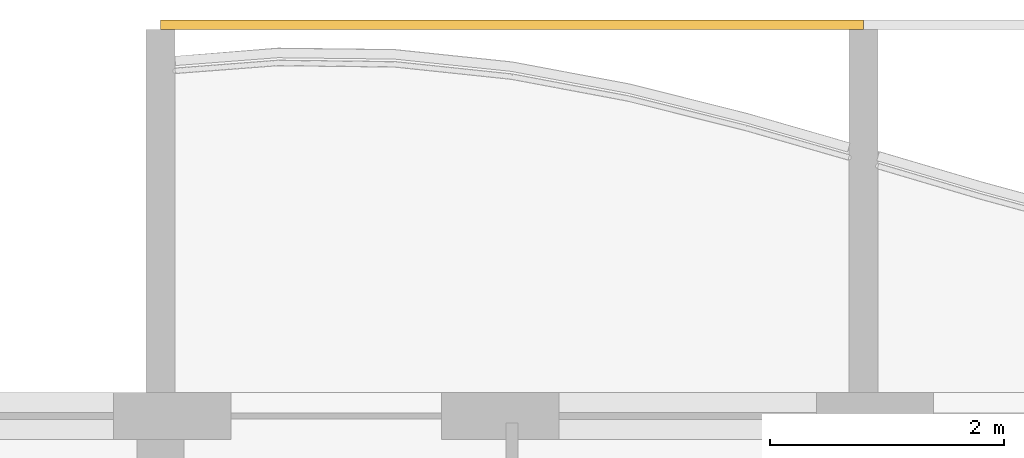
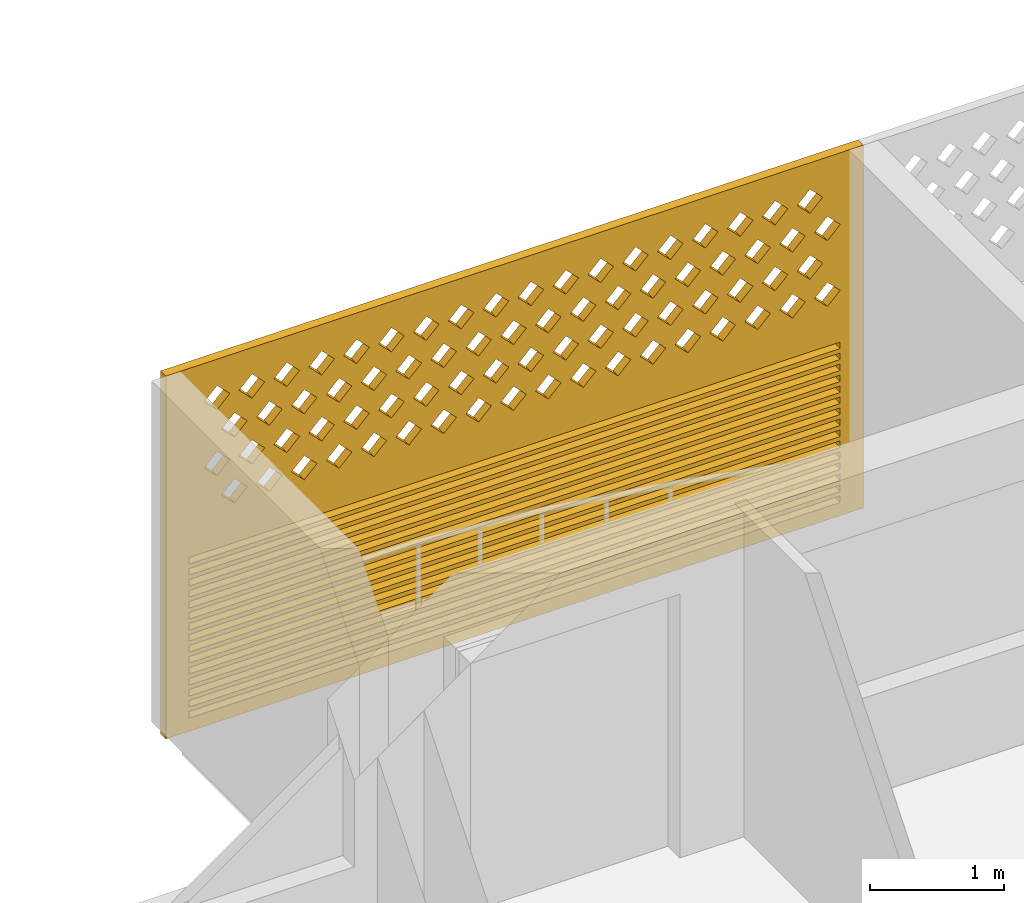
# One storey, part 26 of 39: 1 covering.
"""IFC4 building model written with IfcOpenShell, lengths in metres."""

from ifc_helpers import new_model, si_unit, direction, frame, origin, place, context, subcontext, project, spatial, polyline, outline, extrude, source, transform, mapped, material, material_profile, profile_set, type_object, element, save


model = new_model("IFC4")

# Units and contexts
model_context = context("Model", 3, precision=1e-05, world=origin(), true_north=direction((0.0, 1.0)))
body_context = subcontext(model_context, "Body", "Model", "MODEL_VIEW")
ifc_project = project(units=[si_unit("LENGTHUNIT", "METRE"), si_unit("AREAUNIT", "SQUARE_METRE"), si_unit("VOLUMEUNIT", "CUBIC_METRE"), si_unit("PLANEANGLEUNIT", "RADIAN"), si_unit("MASSUNIT", "GRAM", prefix="KILO")], contexts=[model_context])

# Site, building, storey
site_placement = place(None, origin())
site = spatial("IfcSite", under=ifc_project, at=site_placement, CompositionType="ELEMENT")
building_placement = place(site_placement, origin())
building = spatial("IfcBuilding", under=site, at=building_placement, Name="Poui Terraces", CompositionType="ELEMENT")
storey_placement = place(building_placement, frame((0.0, 0.0, 63.0)))
storey = spatial("IfcBuildingStorey", under=building, at=storey_placement, Name="L17", CompositionType="ELEMENT", Elevation=63.0)

# Covering
ifc_material = material(Name="Terracotta screen", Category="masonry")
ifc_material_profile = material_profile(ifc_material, outline(polyline([(-3.0, -1.64990234375), (3.0, -1.64990234375), (3.0, 1.64990234375), (-3.0, 1.64990234375), (-3.0, -1.64990234375)]), holes=[polyline([(-2.800048828125, 0.39990234375), (-2.68994140625, 0.2900390625), (-2.580078125, 0.39990234375), (-2.68994140625, 0.510009765625), (-2.800048828125, 0.39990234375)]), polyline([(-2.5, 0.39990234375), (-2.389892578125, 0.2900390625), (-2.280029296875, 0.39990234375), (-2.389892578125, 0.510009765625), (-2.5, 0.39990234375)]), polyline([(-2.199951171875, 0.39990234375), (-2.090087890625, 0.2900390625), (-1.97998046875, 0.39990234375), (-2.090087890625, 0.510009765625), (-2.199951171875, 0.39990234375)]), polyline([(-1.89990234375, 0.39990234375), (-1.7900390625, 0.2900390625), (-1.679931640625, 0.39990234375), (-1.7900390625, 0.510009765625), (-1.89990234375, 0.39990234375)]), polyline([(-1.60009765625, 0.39990234375), (-1.489990234375, 0.2900390625), (-1.3798828125, 0.39990234375), (-1.489990234375, 0.510009765625), (-1.60009765625, 0.39990234375)]), polyline([(-1.300048828125, 0.39990234375), (-1.18994140625, 0.2900390625), (-1.080078125, 0.39990234375), (-1.18994140625, 0.510009765625), (-1.300048828125, 0.39990234375)]), polyline([(-1.0, 0.39990234375), (-0.889892578125, 0.2900390625), (-0.780029296875, 0.39990234375), (-0.889892578125, 0.510009765625), (-1.0, 0.39990234375)]), polyline([(-0.699951171875, 0.39990234375), (-0.590087890625, 0.2900390625), (-0.47998046875, 0.39990234375), (-0.590087890625, 0.510009765625), (-0.699951171875, 0.39990234375)]), polyline([(-0.39990234375, 0.39990234375), (-0.2900390625, 0.2900390625), (-0.179931640625, 0.39990234375), (-0.2900390625, 0.510009765625), (-0.39990234375, 0.39990234375)]), polyline([(-0.10009765625, 0.39990234375), (0.010009765625, 0.2900390625), (0.1201171875, 0.39990234375), (0.010009765625, 0.510009765625), (-0.10009765625, 0.39990234375)]), polyline([(0.199951171875, 0.39990234375), (0.31005859375, 0.2900390625), (0.419921875, 0.39990234375), (0.31005859375, 0.510009765625), (0.199951171875, 0.39990234375)]), polyline([(0.5, 0.39990234375), (0.610107421875, 0.2900390625), (0.719970703125, 0.39990234375), (0.610107421875, 0.510009765625), (0.5, 0.39990234375)]), polyline([(0.800048828125, 0.39990234375), (0.909912109375, 0.2900390625), (1.02001953125, 0.39990234375), (0.909912109375, 0.510009765625), (0.800048828125, 0.39990234375)]), polyline([(1.10009765625, 0.39990234375), (1.2099609375, 0.2900390625), (1.320068359375, 0.39990234375), (1.2099609375, 0.510009765625), (1.10009765625, 0.39990234375)]), polyline([(1.39990234375, 0.39990234375), (1.510009765625, 0.2900390625), (1.6201171875, 0.39990234375), (1.510009765625, 0.510009765625), (1.39990234375, 0.39990234375)]), polyline([(1.699951171875, 0.39990234375), (1.81005859375, 0.2900390625), (1.919921875, 0.39990234375), (1.81005859375, 0.510009765625), (1.699951171875, 0.39990234375)]), polyline([(2.0, 0.39990234375), (2.110107421875, 0.2900390625), (2.219970703125, 0.39990234375), (2.110107421875, 0.510009765625), (2.0, 0.39990234375)]), polyline([(2.300048828125, 0.39990234375), (2.409912109375, 0.2900390625), (2.52001953125, 0.39990234375), (2.409912109375, 0.510009765625), (2.300048828125, 0.39990234375)]), polyline([(-2.64990234375, 0.699951171875), (-2.5400390625, 0.590087890625), (-2.429931640625, 0.699951171875), (-2.5400390625, 0.81005859375), (-2.64990234375, 0.699951171875)]), polyline([(-2.35009765625, 0.699951171875), (-2.239990234375, 0.590087890625), (-2.1298828125, 0.699951171875), (-2.239990234375, 0.81005859375), (-2.35009765625, 0.699951171875)]), polyline([(-2.050048828125, 0.699951171875), (-1.93994140625, 0.590087890625), (-1.830078125, 0.699951171875), (-1.93994140625, 0.81005859375), (-2.050048828125, 0.699951171875)]), polyline([(-1.75, 0.699951171875), (-1.639892578125, 0.590087890625), (-1.530029296875, 0.699951171875), (-1.639892578125, 0.81005859375), (-1.75, 0.699951171875)]), polyline([(-1.449951171875, 0.699951171875), (-1.340087890625, 0.590087890625), (-1.22998046875, 0.699951171875), (-1.340087890625, 0.81005859375), (-1.449951171875, 0.699951171875)]), polyline([(-1.14990234375, 0.699951171875), (-1.0400390625, 0.590087890625), (-0.929931640625, 0.699951171875), (-1.0400390625, 0.81005859375), (-1.14990234375, 0.699951171875)]), polyline([(-0.85009765625, 0.699951171875), (-0.739990234375, 0.590087890625), (-0.6298828125, 0.699951171875), (-0.739990234375, 0.81005859375), (-0.85009765625, 0.699951171875)]), polyline([(-0.550048828125, 0.699951171875), (-0.43994140625, 0.590087890625), (-0.330078125, 0.699951171875), (-0.43994140625, 0.81005859375), (-0.550048828125, 0.699951171875)]), polyline([(-0.25, 0.699951171875), (-0.139892578125, 0.590087890625), (-0.030029296875, 0.699951171875), (-0.139892578125, 0.81005859375), (-0.25, 0.699951171875)]), polyline([(0.050048828125, 0.699951171875), (0.159912109375, 0.590087890625), (0.27001953125, 0.699951171875), (0.159912109375, 0.81005859375), (0.050048828125, 0.699951171875)]), polyline([(0.35009765625, 0.699951171875), (0.4599609375, 0.590087890625), (0.570068359375, 0.699951171875), (0.4599609375, 0.81005859375), (0.35009765625, 0.699951171875)]), polyline([(0.64990234375, 0.699951171875), (0.760009765625, 0.590087890625), (0.8701171875, 0.699951171875), (0.760009765625, 0.81005859375), (0.64990234375, 0.699951171875)]), polyline([(0.949951171875, 0.699951171875), (1.06005859375, 0.590087890625), (1.169921875, 0.699951171875), (1.06005859375, 0.81005859375), (0.949951171875, 0.699951171875)]), polyline([(1.25, 0.699951171875), (1.360107421875, 0.590087890625), (1.469970703125, 0.699951171875), (1.360107421875, 0.81005859375), (1.25, 0.699951171875)]), polyline([(1.550048828125, 0.699951171875), (1.659912109375, 0.590087890625), (1.77001953125, 0.699951171875), (1.659912109375, 0.81005859375), (1.550048828125, 0.699951171875)]), polyline([(1.85009765625, 0.699951171875), (1.9599609375, 0.590087890625), (2.070068359375, 0.699951171875), (1.9599609375, 0.81005859375), (1.85009765625, 0.699951171875)]), polyline([(2.14990234375, 0.699951171875), (2.260009765625, 0.590087890625), (2.3701171875, 0.699951171875), (2.260009765625, 0.81005859375), (2.14990234375, 0.699951171875)]), polyline([(2.449951171875, 0.699951171875), (2.56005859375, 0.590087890625), (2.669921875, 0.699951171875), (2.56005859375, 0.81005859375), (2.449951171875, 0.699951171875)]), polyline([(-2.800048828125, 1.0), (-2.68994140625, 0.889892578125), (-2.580078125, 1.0), (-2.68994140625, 1.110107421875), (-2.800048828125, 1.0)]), polyline([(-2.5, 1.0), (-2.389892578125, 0.889892578125), (-2.280029296875, 1.0), (-2.389892578125, 1.110107421875), (-2.5, 1.0)]), polyline([(-2.199951171875, 1.0), (-2.090087890625, 0.889892578125), (-1.97998046875, 1.0), (-2.090087890625, 1.110107421875), (-2.199951171875, 1.0)]), polyline([(-1.89990234375, 1.0), (-1.7900390625, 0.889892578125), (-1.679931640625, 1.0), (-1.7900390625, 1.110107421875), (-1.89990234375, 1.0)]), polyline([(-1.60009765625, 1.0), (-1.489990234375, 0.889892578125), (-1.3798828125, 1.0), (-1.489990234375, 1.110107421875), (-1.60009765625, 1.0)]), polyline([(-1.300048828125, 1.0), (-1.18994140625, 0.889892578125), (-1.080078125, 1.0), (-1.18994140625, 1.110107421875), (-1.300048828125, 1.0)]), polyline([(-1.0, 1.0), (-0.889892578125, 0.889892578125), (-0.780029296875, 1.0), (-0.889892578125, 1.110107421875), (-1.0, 1.0)]), polyline([(-0.699951171875, 1.0), (-0.590087890625, 0.889892578125), (-0.47998046875, 1.0), (-0.590087890625, 1.110107421875), (-0.699951171875, 1.0)]), polyline([(-0.39990234375, 1.0), (-0.2900390625, 0.889892578125), (-0.179931640625, 1.0), (-0.2900390625, 1.110107421875), (-0.39990234375, 1.0)]), polyline([(-0.10009765625, 1.0), (0.010009765625, 0.889892578125), (0.1201171875, 1.0), (0.010009765625, 1.110107421875), (-0.10009765625, 1.0)]), polyline([(0.199951171875, 1.0), (0.31005859375, 0.889892578125), (0.419921875, 1.0), (0.31005859375, 1.110107421875), (0.199951171875, 1.0)]), polyline([(0.5, 1.0), (0.610107421875, 0.889892578125), (0.719970703125, 1.0), (0.610107421875, 1.110107421875), (0.5, 1.0)]), polyline([(0.800048828125, 1.0), (0.909912109375, 0.889892578125), (1.02001953125, 1.0), (0.909912109375, 1.110107421875), (0.800048828125, 1.0)]), polyline([(1.10009765625, 1.0), (1.2099609375, 0.889892578125), (1.320068359375, 1.0), (1.2099609375, 1.110107421875), (1.10009765625, 1.0)]), polyline([(1.39990234375, 1.0), (1.510009765625, 0.889892578125), (1.6201171875, 1.0), (1.510009765625, 1.110107421875), (1.39990234375, 1.0)]), polyline([(1.699951171875, 1.0), (1.81005859375, 0.889892578125), (1.919921875, 1.0), (1.81005859375, 1.110107421875), (1.699951171875, 1.0)]), polyline([(2.0, 1.0), (2.110107421875, 0.889892578125), (2.219970703125, 1.0), (2.110107421875, 1.110107421875), (2.0, 1.0)]), polyline([(2.300048828125, 1.0), (2.409912109375, 0.889892578125), (2.52001953125, 1.0), (2.409912109375, 1.110107421875), (2.300048828125, 1.0)]), polyline([(-2.64990234375, 1.300048828125), (-2.5400390625, 1.18994140625), (-2.429931640625, 1.300048828125), (-2.5400390625, 1.409912109375), (-2.64990234375, 1.300048828125)]), polyline([(-2.35009765625, 1.300048828125), (-2.239990234375, 1.18994140625), (-2.1298828125, 1.300048828125), (-2.239990234375, 1.409912109375), (-2.35009765625, 1.300048828125)]), polyline([(-2.050048828125, 1.300048828125), (-1.93994140625, 1.18994140625), (-1.830078125, 1.300048828125), (-1.93994140625, 1.409912109375), (-2.050048828125, 1.300048828125)]), polyline([(-1.75, 1.300048828125), (-1.639892578125, 1.18994140625), (-1.530029296875, 1.300048828125), (-1.639892578125, 1.409912109375), (-1.75, 1.300048828125)]), polyline([(-1.449951171875, 1.300048828125), (-1.340087890625, 1.18994140625), (-1.22998046875, 1.300048828125), (-1.340087890625, 1.409912109375), (-1.449951171875, 1.300048828125)]), polyline([(-1.14990234375, 1.300048828125), (-1.0400390625, 1.18994140625), (-0.929931640625, 1.300048828125), (-1.0400390625, 1.409912109375), (-1.14990234375, 1.300048828125)]), polyline([(-0.85009765625, 1.300048828125), (-0.739990234375, 1.18994140625), (-0.6298828125, 1.300048828125), (-0.739990234375, 1.409912109375), (-0.85009765625, 1.300048828125)]), polyline([(-0.550048828125, 1.300048828125), (-0.43994140625, 1.18994140625), (-0.330078125, 1.300048828125), (-0.43994140625, 1.409912109375), (-0.550048828125, 1.300048828125)]), polyline([(-0.25, 1.300048828125), (-0.139892578125, 1.18994140625), (-0.030029296875, 1.300048828125), (-0.139892578125, 1.409912109375), (-0.25, 1.300048828125)]), polyline([(0.050048828125, 1.300048828125), (0.159912109375, 1.18994140625), (0.27001953125, 1.300048828125), (0.159912109375, 1.409912109375), (0.050048828125, 1.300048828125)]), polyline([(0.35009765625, 1.300048828125), (0.4599609375, 1.18994140625), (0.570068359375, 1.300048828125), (0.4599609375, 1.409912109375), (0.35009765625, 1.300048828125)]), polyline([(0.64990234375, 1.300048828125), (0.760009765625, 1.18994140625), (0.8701171875, 1.300048828125), (0.760009765625, 1.409912109375), (0.64990234375, 1.300048828125)]), polyline([(0.949951171875, 1.300048828125), (1.06005859375, 1.18994140625), (1.169921875, 1.300048828125), (1.06005859375, 1.409912109375), (0.949951171875, 1.300048828125)]), polyline([(1.25, 1.300048828125), (1.360107421875, 1.18994140625), (1.469970703125, 1.300048828125), (1.360107421875, 1.409912109375), (1.25, 1.300048828125)]), polyline([(1.550048828125, 1.300048828125), (1.659912109375, 1.18994140625), (1.77001953125, 1.300048828125), (1.659912109375, 1.409912109375), (1.550048828125, 1.300048828125)]), polyline([(1.85009765625, 1.300048828125), (1.9599609375, 1.18994140625), (2.070068359375, 1.300048828125), (1.9599609375, 1.409912109375), (1.85009765625, 1.300048828125)]), polyline([(2.14990234375, 1.300048828125), (2.260009765625, 1.18994140625), (2.3701171875, 1.300048828125), (2.260009765625, 1.409912109375), (2.14990234375, 1.300048828125)]), polyline([(2.449951171875, 1.300048828125), (2.56005859375, 1.18994140625), (2.669921875, 1.300048828125), (2.56005859375, 1.409912109375), (2.449951171875, 1.300048828125)]), polyline([(-2.800048828125, -1.530029296875), (2.800048828125, -1.530029296875), (2.800048828125, -1.469970703125), (-2.800048828125, -1.469970703125), (-2.800048828125, -1.530029296875)]), polyline([(-2.800048828125, -1.429931640625), (2.800048828125, -1.429931640625), (2.800048828125, -1.3701171875), (-2.800048828125, -1.3701171875), (-2.800048828125, -1.429931640625)]), polyline([(-2.800048828125, -1.330078125), (2.800048828125, -1.330078125), (2.800048828125, -1.27001953125), (-2.800048828125, -1.27001953125), (-2.800048828125, -1.330078125)]), polyline([(-2.800048828125, -1.22998046875), (2.800048828125, -1.22998046875), (2.800048828125, -1.169921875), (-2.800048828125, -1.169921875), (-2.800048828125, -1.22998046875)]), polyline([(-2.800048828125, -1.1298828125), (2.800048828125, -1.1298828125), (2.800048828125, -1.070068359375), (-2.800048828125, -1.070068359375), (-2.800048828125, -1.1298828125)]), polyline([(-2.800048828125, -1.030029296875), (2.800048828125, -1.030029296875), (2.800048828125, -0.969970703125), (-2.800048828125, -0.969970703125), (-2.800048828125, -1.030029296875)]), polyline([(-2.800048828125, -0.929931640625), (2.800048828125, -0.929931640625), (2.800048828125, -0.8701171875), (-2.800048828125, -0.8701171875), (-2.800048828125, -0.929931640625)]), polyline([(-2.800048828125, -0.830078125), (2.800048828125, -0.830078125), (2.800048828125, -0.77001953125), (-2.800048828125, -0.77001953125), (-2.800048828125, -0.830078125)]), polyline([(-2.800048828125, -0.72998046875), (2.800048828125, -0.72998046875), (2.800048828125, -0.669921875), (-2.800048828125, -0.669921875), (-2.800048828125, -0.72998046875)]), polyline([(-2.800048828125, -0.6298828125), (2.800048828125, -0.6298828125), (2.800048828125, -0.570068359375), (-2.800048828125, -0.570068359375), (-2.800048828125, -0.6298828125)]), polyline([(-2.800048828125, -0.530029296875), (2.800048828125, -0.530029296875), (2.800048828125, -0.469970703125), (-2.800048828125, -0.469970703125), (-2.800048828125, -0.530029296875)]), polyline([(-2.800048828125, -0.429931640625), (2.800048828125, -0.429931640625), (2.800048828125, -0.3701171875), (-2.800048828125, -0.3701171875), (-2.800048828125, -0.429931640625)]), polyline([(-2.800048828125, -0.330078125), (2.800048828125, -0.330078125), (2.800048828125, -0.27001953125), (-2.800048828125, -0.27001953125), (-2.800048828125, -0.330078125)]), polyline([(-2.800048828125, -0.22998046875), (2.800048828125, -0.22998046875), (2.800048828125, -0.169921875), (-2.800048828125, -0.169921875), (-2.800048828125, -0.22998046875)]), polyline([(-2.800048828125, -0.1298828125), (2.800048828125, -0.1298828125), (2.800048828125, -0.070068359375), (-2.800048828125, -0.070068359375), (-2.800048828125, -0.1298828125)])]), Name="TERRACOTTA SCREEN AND JALOUSIE LOUVRE 6000X3300")
ifc_profile_set = profile_set([ifc_material_profile], Name="Terracotta screen")
covering_type = type_object("IfcCoveringType", Name="TERRACOTTA SCREEN AND JALOUSIE LOUVRE 6000X3300", PredefinedType="CLADDING", material=ifc_profile_set)
shared_shape = source(origin(), body_context, "Body", "SweptSolid", [
    extrude(outline(polyline([(-3.0, -1.64990234375), (3.0, -1.64990234375), (3.0, 1.64990234375), (-3.0, 1.64990234375), (-3.0, -1.64990234375)]), holes=[polyline([(-2.800048828125, 0.39990234375), (-2.68994140625, 0.2900390625), (-2.580078125, 0.39990234375), (-2.68994140625, 0.510009765625), (-2.800048828125, 0.39990234375)]), polyline([(-2.5, 0.39990234375), (-2.389892578125, 0.2900390625), (-2.280029296875, 0.39990234375), (-2.389892578125, 0.510009765625), (-2.5, 0.39990234375)]), polyline([(-2.199951171875, 0.39990234375), (-2.090087890625, 0.2900390625), (-1.97998046875, 0.39990234375), (-2.090087890625, 0.510009765625), (-2.199951171875, 0.39990234375)]), polyline([(-1.89990234375, 0.39990234375), (-1.7900390625, 0.2900390625), (-1.679931640625, 0.39990234375), (-1.7900390625, 0.510009765625), (-1.89990234375, 0.39990234375)]), polyline([(-1.60009765625, 0.39990234375), (-1.489990234375, 0.2900390625), (-1.3798828125, 0.39990234375), (-1.489990234375, 0.510009765625), (-1.60009765625, 0.39990234375)]), polyline([(-1.300048828125, 0.39990234375), (-1.18994140625, 0.2900390625), (-1.080078125, 0.39990234375), (-1.18994140625, 0.510009765625), (-1.300048828125, 0.39990234375)]), polyline([(-1.0, 0.39990234375), (-0.889892578125, 0.2900390625), (-0.780029296875, 0.39990234375), (-0.889892578125, 0.510009765625), (-1.0, 0.39990234375)]), polyline([(-0.699951171875, 0.39990234375), (-0.590087890625, 0.2900390625), (-0.47998046875, 0.39990234375), (-0.590087890625, 0.510009765625), (-0.699951171875, 0.39990234375)]), polyline([(-0.39990234375, 0.39990234375), (-0.2900390625, 0.2900390625), (-0.179931640625, 0.39990234375), (-0.2900390625, 0.510009765625), (-0.39990234375, 0.39990234375)]), polyline([(-0.10009765625, 0.39990234375), (0.010009765625, 0.2900390625), (0.1201171875, 0.39990234375), (0.010009765625, 0.510009765625), (-0.10009765625, 0.39990234375)]), polyline([(0.199951171875, 0.39990234375), (0.31005859375, 0.2900390625), (0.419921875, 0.39990234375), (0.31005859375, 0.510009765625), (0.199951171875, 0.39990234375)]), polyline([(0.5, 0.39990234375), (0.610107421875, 0.2900390625), (0.719970703125, 0.39990234375), (0.610107421875, 0.510009765625), (0.5, 0.39990234375)]), polyline([(0.800048828125, 0.39990234375), (0.909912109375, 0.2900390625), (1.02001953125, 0.39990234375), (0.909912109375, 0.510009765625), (0.800048828125, 0.39990234375)]), polyline([(1.10009765625, 0.39990234375), (1.2099609375, 0.2900390625), (1.320068359375, 0.39990234375), (1.2099609375, 0.510009765625), (1.10009765625, 0.39990234375)]), polyline([(1.39990234375, 0.39990234375), (1.510009765625, 0.2900390625), (1.6201171875, 0.39990234375), (1.510009765625, 0.510009765625), (1.39990234375, 0.39990234375)]), polyline([(1.699951171875, 0.39990234375), (1.81005859375, 0.2900390625), (1.919921875, 0.39990234375), (1.81005859375, 0.510009765625), (1.699951171875, 0.39990234375)]), polyline([(2.0, 0.39990234375), (2.110107421875, 0.2900390625), (2.219970703125, 0.39990234375), (2.110107421875, 0.510009765625), (2.0, 0.39990234375)]), polyline([(2.300048828125, 0.39990234375), (2.409912109375, 0.2900390625), (2.52001953125, 0.39990234375), (2.409912109375, 0.510009765625), (2.300048828125, 0.39990234375)]), polyline([(-2.64990234375, 0.699951171875), (-2.5400390625, 0.590087890625), (-2.429931640625, 0.699951171875), (-2.5400390625, 0.81005859375), (-2.64990234375, 0.699951171875)]), polyline([(-2.35009765625, 0.699951171875), (-2.239990234375, 0.590087890625), (-2.1298828125, 0.699951171875), (-2.239990234375, 0.81005859375), (-2.35009765625, 0.699951171875)]), polyline([(-2.050048828125, 0.699951171875), (-1.93994140625, 0.590087890625), (-1.830078125, 0.699951171875), (-1.93994140625, 0.81005859375), (-2.050048828125, 0.699951171875)]), polyline([(-1.75, 0.699951171875), (-1.639892578125, 0.590087890625), (-1.530029296875, 0.699951171875), (-1.639892578125, 0.81005859375), (-1.75, 0.699951171875)]), polyline([(-1.449951171875, 0.699951171875), (-1.340087890625, 0.590087890625), (-1.22998046875, 0.699951171875), (-1.340087890625, 0.81005859375), (-1.449951171875, 0.699951171875)]), polyline([(-1.14990234375, 0.699951171875), (-1.0400390625, 0.590087890625), (-0.929931640625, 0.699951171875), (-1.0400390625, 0.81005859375), (-1.14990234375, 0.699951171875)]), polyline([(-0.85009765625, 0.699951171875), (-0.739990234375, 0.590087890625), (-0.6298828125, 0.699951171875), (-0.739990234375, 0.81005859375), (-0.85009765625, 0.699951171875)]), polyline([(-0.550048828125, 0.699951171875), (-0.43994140625, 0.590087890625), (-0.330078125, 0.699951171875), (-0.43994140625, 0.81005859375), (-0.550048828125, 0.699951171875)]), polyline([(-0.25, 0.699951171875), (-0.139892578125, 0.590087890625), (-0.030029296875, 0.699951171875), (-0.139892578125, 0.81005859375), (-0.25, 0.699951171875)]), polyline([(0.050048828125, 0.699951171875), (0.159912109375, 0.590087890625), (0.27001953125, 0.699951171875), (0.159912109375, 0.81005859375), (0.050048828125, 0.699951171875)]), polyline([(0.35009765625, 0.699951171875), (0.4599609375, 0.590087890625), (0.570068359375, 0.699951171875), (0.4599609375, 0.81005859375), (0.35009765625, 0.699951171875)]), polyline([(0.64990234375, 0.699951171875), (0.760009765625, 0.590087890625), (0.8701171875, 0.699951171875), (0.760009765625, 0.81005859375), (0.64990234375, 0.699951171875)]), polyline([(0.949951171875, 0.699951171875), (1.06005859375, 0.590087890625), (1.169921875, 0.699951171875), (1.06005859375, 0.81005859375), (0.949951171875, 0.699951171875)]), polyline([(1.25, 0.699951171875), (1.360107421875, 0.590087890625), (1.469970703125, 0.699951171875), (1.360107421875, 0.81005859375), (1.25, 0.699951171875)]), polyline([(1.550048828125, 0.699951171875), (1.659912109375, 0.590087890625), (1.77001953125, 0.699951171875), (1.659912109375, 0.81005859375), (1.550048828125, 0.699951171875)]), polyline([(1.85009765625, 0.699951171875), (1.9599609375, 0.590087890625), (2.070068359375, 0.699951171875), (1.9599609375, 0.81005859375), (1.85009765625, 0.699951171875)]), polyline([(2.14990234375, 0.699951171875), (2.260009765625, 0.590087890625), (2.3701171875, 0.699951171875), (2.260009765625, 0.81005859375), (2.14990234375, 0.699951171875)]), polyline([(2.449951171875, 0.699951171875), (2.56005859375, 0.590087890625), (2.669921875, 0.699951171875), (2.56005859375, 0.81005859375), (2.449951171875, 0.699951171875)]), polyline([(-2.800048828125, 1.0), (-2.68994140625, 0.889892578125), (-2.580078125, 1.0), (-2.68994140625, 1.110107421875), (-2.800048828125, 1.0)]), polyline([(-2.5, 1.0), (-2.389892578125, 0.889892578125), (-2.280029296875, 1.0), (-2.389892578125, 1.110107421875), (-2.5, 1.0)]), polyline([(-2.199951171875, 1.0), (-2.090087890625, 0.889892578125), (-1.97998046875, 1.0), (-2.090087890625, 1.110107421875), (-2.199951171875, 1.0)]), polyline([(-1.89990234375, 1.0), (-1.7900390625, 0.889892578125), (-1.679931640625, 1.0), (-1.7900390625, 1.110107421875), (-1.89990234375, 1.0)]), polyline([(-1.60009765625, 1.0), (-1.489990234375, 0.889892578125), (-1.3798828125, 1.0), (-1.489990234375, 1.110107421875), (-1.60009765625, 1.0)]), polyline([(-1.300048828125, 1.0), (-1.18994140625, 0.889892578125), (-1.080078125, 1.0), (-1.18994140625, 1.110107421875), (-1.300048828125, 1.0)]), polyline([(-1.0, 1.0), (-0.889892578125, 0.889892578125), (-0.780029296875, 1.0), (-0.889892578125, 1.110107421875), (-1.0, 1.0)]), polyline([(-0.699951171875, 1.0), (-0.590087890625, 0.889892578125), (-0.47998046875, 1.0), (-0.590087890625, 1.110107421875), (-0.699951171875, 1.0)]), polyline([(-0.39990234375, 1.0), (-0.2900390625, 0.889892578125), (-0.179931640625, 1.0), (-0.2900390625, 1.110107421875), (-0.39990234375, 1.0)]), polyline([(-0.10009765625, 1.0), (0.010009765625, 0.889892578125), (0.1201171875, 1.0), (0.010009765625, 1.110107421875), (-0.10009765625, 1.0)]), polyline([(0.199951171875, 1.0), (0.31005859375, 0.889892578125), (0.419921875, 1.0), (0.31005859375, 1.110107421875), (0.199951171875, 1.0)]), polyline([(0.5, 1.0), (0.610107421875, 0.889892578125), (0.719970703125, 1.0), (0.610107421875, 1.110107421875), (0.5, 1.0)]), polyline([(0.800048828125, 1.0), (0.909912109375, 0.889892578125), (1.02001953125, 1.0), (0.909912109375, 1.110107421875), (0.800048828125, 1.0)]), polyline([(1.10009765625, 1.0), (1.2099609375, 0.889892578125), (1.320068359375, 1.0), (1.2099609375, 1.110107421875), (1.10009765625, 1.0)]), polyline([(1.39990234375, 1.0), (1.510009765625, 0.889892578125), (1.6201171875, 1.0), (1.510009765625, 1.110107421875), (1.39990234375, 1.0)]), polyline([(1.699951171875, 1.0), (1.81005859375, 0.889892578125), (1.919921875, 1.0), (1.81005859375, 1.110107421875), (1.699951171875, 1.0)]), polyline([(2.0, 1.0), (2.110107421875, 0.889892578125), (2.219970703125, 1.0), (2.110107421875, 1.110107421875), (2.0, 1.0)]), polyline([(2.300048828125, 1.0), (2.409912109375, 0.889892578125), (2.52001953125, 1.0), (2.409912109375, 1.110107421875), (2.300048828125, 1.0)]), polyline([(-2.64990234375, 1.300048828125), (-2.5400390625, 1.18994140625), (-2.429931640625, 1.300048828125), (-2.5400390625, 1.409912109375), (-2.64990234375, 1.300048828125)]), polyline([(-2.35009765625, 1.300048828125), (-2.239990234375, 1.18994140625), (-2.1298828125, 1.300048828125), (-2.239990234375, 1.409912109375), (-2.35009765625, 1.300048828125)]), polyline([(-2.050048828125, 1.300048828125), (-1.93994140625, 1.18994140625), (-1.830078125, 1.300048828125), (-1.93994140625, 1.409912109375), (-2.050048828125, 1.300048828125)]), polyline([(-1.75, 1.300048828125), (-1.639892578125, 1.18994140625), (-1.530029296875, 1.300048828125), (-1.639892578125, 1.409912109375), (-1.75, 1.300048828125)]), polyline([(-1.449951171875, 1.300048828125), (-1.340087890625, 1.18994140625), (-1.22998046875, 1.300048828125), (-1.340087890625, 1.409912109375), (-1.449951171875, 1.300048828125)]), polyline([(-1.14990234375, 1.300048828125), (-1.0400390625, 1.18994140625), (-0.929931640625, 1.300048828125), (-1.0400390625, 1.409912109375), (-1.14990234375, 1.300048828125)]), polyline([(-0.85009765625, 1.300048828125), (-0.739990234375, 1.18994140625), (-0.6298828125, 1.300048828125), (-0.739990234375, 1.409912109375), (-0.85009765625, 1.300048828125)]), polyline([(-0.550048828125, 1.300048828125), (-0.43994140625, 1.18994140625), (-0.330078125, 1.300048828125), (-0.43994140625, 1.409912109375), (-0.550048828125, 1.300048828125)]), polyline([(-0.25, 1.300048828125), (-0.139892578125, 1.18994140625), (-0.030029296875, 1.300048828125), (-0.139892578125, 1.409912109375), (-0.25, 1.300048828125)]), polyline([(0.050048828125, 1.300048828125), (0.159912109375, 1.18994140625), (0.27001953125, 1.300048828125), (0.159912109375, 1.409912109375), (0.050048828125, 1.300048828125)]), polyline([(0.35009765625, 1.300048828125), (0.4599609375, 1.18994140625), (0.570068359375, 1.300048828125), (0.4599609375, 1.409912109375), (0.35009765625, 1.300048828125)]), polyline([(0.64990234375, 1.300048828125), (0.760009765625, 1.18994140625), (0.8701171875, 1.300048828125), (0.760009765625, 1.409912109375), (0.64990234375, 1.300048828125)]), polyline([(0.949951171875, 1.300048828125), (1.06005859375, 1.18994140625), (1.169921875, 1.300048828125), (1.06005859375, 1.409912109375), (0.949951171875, 1.300048828125)]), polyline([(1.25, 1.300048828125), (1.360107421875, 1.18994140625), (1.469970703125, 1.300048828125), (1.360107421875, 1.409912109375), (1.25, 1.300048828125)]), polyline([(1.550048828125, 1.300048828125), (1.659912109375, 1.18994140625), (1.77001953125, 1.300048828125), (1.659912109375, 1.409912109375), (1.550048828125, 1.300048828125)]), polyline([(1.85009765625, 1.300048828125), (1.9599609375, 1.18994140625), (2.070068359375, 1.300048828125), (1.9599609375, 1.409912109375), (1.85009765625, 1.300048828125)]), polyline([(2.14990234375, 1.300048828125), (2.260009765625, 1.18994140625), (2.3701171875, 1.300048828125), (2.260009765625, 1.409912109375), (2.14990234375, 1.300048828125)]), polyline([(2.449951171875, 1.300048828125), (2.56005859375, 1.18994140625), (2.669921875, 1.300048828125), (2.56005859375, 1.409912109375), (2.449951171875, 1.300048828125)]), polyline([(-2.800048828125, -1.530029296875), (2.800048828125, -1.530029296875), (2.800048828125, -1.469970703125), (-2.800048828125, -1.469970703125), (-2.800048828125, -1.530029296875)]), polyline([(-2.800048828125, -1.429931640625), (2.800048828125, -1.429931640625), (2.800048828125, -1.3701171875), (-2.800048828125, -1.3701171875), (-2.800048828125, -1.429931640625)]), polyline([(-2.800048828125, -1.330078125), (2.800048828125, -1.330078125), (2.800048828125, -1.27001953125), (-2.800048828125, -1.27001953125), (-2.800048828125, -1.330078125)]), polyline([(-2.800048828125, -1.22998046875), (2.800048828125, -1.22998046875), (2.800048828125, -1.169921875), (-2.800048828125, -1.169921875), (-2.800048828125, -1.22998046875)]), polyline([(-2.800048828125, -1.1298828125), (2.800048828125, -1.1298828125), (2.800048828125, -1.070068359375), (-2.800048828125, -1.070068359375), (-2.800048828125, -1.1298828125)]), polyline([(-2.800048828125, -1.030029296875), (2.800048828125, -1.030029296875), (2.800048828125, -0.969970703125), (-2.800048828125, -0.969970703125), (-2.800048828125, -1.030029296875)]), polyline([(-2.800048828125, -0.929931640625), (2.800048828125, -0.929931640625), (2.800048828125, -0.8701171875), (-2.800048828125, -0.8701171875), (-2.800048828125, -0.929931640625)]), polyline([(-2.800048828125, -0.830078125), (2.800048828125, -0.830078125), (2.800048828125, -0.77001953125), (-2.800048828125, -0.77001953125), (-2.800048828125, -0.830078125)]), polyline([(-2.800048828125, -0.72998046875), (2.800048828125, -0.72998046875), (2.800048828125, -0.669921875), (-2.800048828125, -0.669921875), (-2.800048828125, -0.72998046875)]), polyline([(-2.800048828125, -0.6298828125), (2.800048828125, -0.6298828125), (2.800048828125, -0.570068359375), (-2.800048828125, -0.570068359375), (-2.800048828125, -0.6298828125)]), polyline([(-2.800048828125, -0.530029296875), (2.800048828125, -0.530029296875), (2.800048828125, -0.469970703125), (-2.800048828125, -0.469970703125), (-2.800048828125, -0.530029296875)]), polyline([(-2.800048828125, -0.429931640625), (2.800048828125, -0.429931640625), (2.800048828125, -0.3701171875), (-2.800048828125, -0.3701171875), (-2.800048828125, -0.429931640625)]), polyline([(-2.800048828125, -0.330078125), (2.800048828125, -0.330078125), (2.800048828125, -0.27001953125), (-2.800048828125, -0.27001953125), (-2.800048828125, -0.330078125)]), polyline([(-2.800048828125, -0.22998046875), (2.800048828125, -0.22998046875), (2.800048828125, -0.169921875), (-2.800048828125, -0.169921875), (-2.800048828125, -0.22998046875)]), polyline([(-2.800048828125, -0.1298828125), (2.800048828125, -0.1298828125), (2.800048828125, -0.070068359375), (-2.800048828125, -0.070068359375), (-2.800048828125, -0.1298828125)])]), origin(), (0.0, 0.0, 1.0), 0.079833984375),
])
covering_placement = place(storey_placement, frame((39.0, 48.10009765625, 1.449951171875), z_axis=(0.0, 1.0, 0.0), x_axis=(-1.0, 0.0, 0.0)))
element("IfcCovering", 1, at=covering_placement, inside=storey, type_object=covering_type, Name="SOLAR SCREEN AND JALOUSIE LOUVRE", PredefinedType="CLADDING", context=body_context, shape_type="MappedRepresentation", body=[
    mapped(shared_shape, transform((0.0, 0.0, 0.0))),
])

save(model, "model.ifc")
